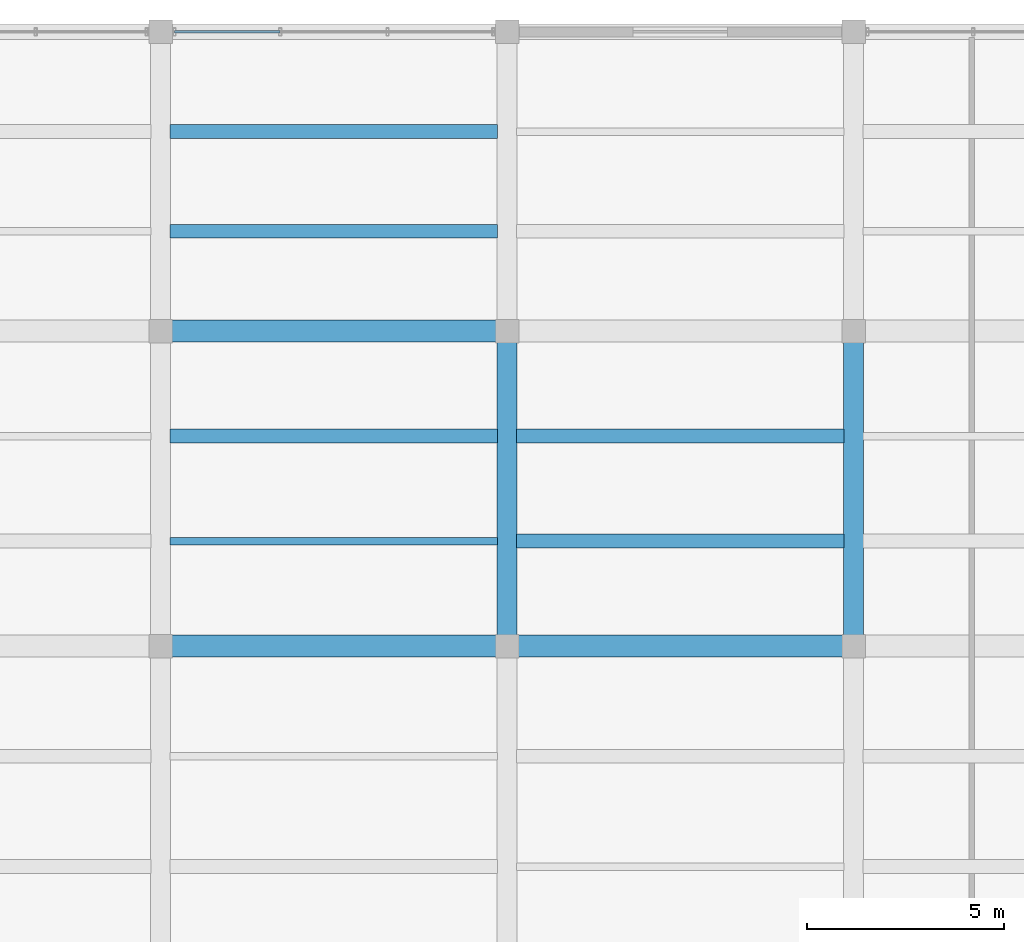
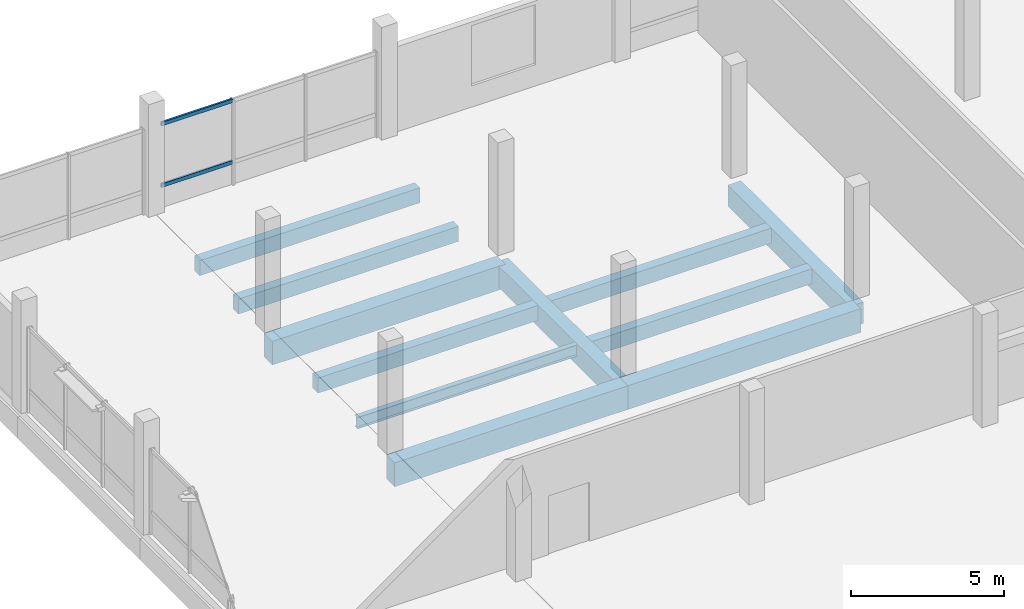
# One storey, part 46 of 77: 11 beams, 2 members, 1 element without a shape of its own.
"""IFC4 building model written with IfcOpenShell, lengths in metres."""

from ifc_helpers import new_model, si_unit, direction, frame, origin, origin_2d, place, context, subcontext, project, spatial, rectangle, hollow_rectangle, i_section, extrude, material, layer, layer_set, material_profile, profile_set, type_object, element, aggregate, save


model = new_model("IFC4")

# Units and contexts
model_context = context("Model", 3, precision=1e-05, world=origin(), true_north=direction((0.0, 1.0)))
body_context = subcontext(model_context, "Body", "Model", "MODEL_VIEW")
ifc_project = project(units=[si_unit("LENGTHUNIT", "METRE"), si_unit("AREAUNIT", "SQUARE_METRE"), si_unit("VOLUMEUNIT", "CUBIC_METRE"), si_unit("PLANEANGLEUNIT", "RADIAN"), si_unit("MASSUNIT", "GRAM", prefix="KILO")], contexts=[model_context])

# Site, building, storey
site_placement = place(None, origin())
site = spatial("IfcSite", under=ifc_project, at=site_placement, CompositionType="ELEMENT")
building_placement = place(site_placement, origin())
building = spatial("IfcBuilding", under=site, at=building_placement, Name="Meriwether Solvik Hall", CompositionType="ELEMENT")
storey_placement = place(building_placement, frame((0.0, 0.0, 9.89990234375)))
storey = spatial("IfcBuildingStorey", under=building, at=storey_placement, Name="L02", CompositionType="ELEMENT", Elevation=9.89990234375)

# Beams
ifc_material_1 = material(Name="Concrete C40/50", Category="concrete")
ifc_material_profile_1 = material_profile(ifc_material_1, rectangle(XDim=0.35009765625, YDim=0.60009765625, at=origin_2d()), Name="RCB-350X600")
ifc_profile_set_1 = profile_set([ifc_material_profile_1], Name="Concrete C40/50")
beam_type_1 = type_object("IfcBeamType", Name="BM-RC-350X600", PredefinedType="JOIST", material=ifc_profile_set_1)
for number, where, z_axis, x_axis, name in (
    (1, (114.445068359375, 106.533203125, -0.75), (1.0, 0.0, 0.0), (0.0, 1.0, 0.0), "Secondary Floor Joist 13/L_J2 (L02)"),
    (2, (114.445068359375, 111.7333984375, -0.75), (1.0, 0.0, 0.0), (0.0, 1.0, 0.0), "Secondary Floor Joist 13/M_J1 (L02)"),
    (3, (114.445068359375, 114.2666015625, -0.75), (1.0, 0.0, 0.0), (0.0, 1.0, 0.0), "Secondary Floor Joist 13/M_J2 (L02)"),
    (4, (123.2451171875, 103.86669921875, -0.75), (1.0, 0.0, 0.0), (0.0, 1.0, 0.0), "Secondary Floor Joist 14/L_J1 (L02)"),
    (5, (123.2451171875, 106.533203125, -0.75), (1.0, 0.0, 0.0), (0.0, 1.0, 0.0), "Secondary Floor Joist 14/L_J2 (L02)"),
):
    element("IfcBeam", number, at=place(storey_placement, frame(where, z_axis=z_axis, x_axis=x_axis)), inside=storey, type_object=beam_type_1, Name=name, PredefinedType="JOIST", context=body_context, shape_type="SweptSolid", body=[
        extrude(rectangle(XDim=0.35009765625, YDim=0.60009765625, at=origin_2d()), origin(), (0.0, 0.0, 1.0), 8.309814453125),
    ])
ifc_material_2 = material(Name="Concrete C40/50", Category="concrete")
ifc_material_profile_2 = material_profile(ifc_material_2, rectangle(XDim=0.5, YDim=0.85009765625, at=origin_2d()), Name="RCB-500X850")
ifc_profile_set_2 = profile_set([ifc_material_profile_2], Name="Concrete C40/50")
beam_type_2 = type_object("IfcBeamType", Name="BM-RC-500X850", PredefinedType="BEAM", material=ifc_profile_set_2)
for number, where, z_axis, x_axis, name in (
    (6, (123.0, 101.199951171875, -0.875), (0.0, 1.0, 0.0), (-1.0, 0.0, 0.0), "Podium Girder 14:L-M (L02)"),
    (7, (131.800048828125, 101.199951171875, -0.875), (0.0, 1.0, 0.0), (-1.0, 0.0, 0.0), "Podium Girder 15:L-M (L02)"),
):
    element("IfcBeam", number, at=place(storey_placement, frame(where, z_axis=z_axis, x_axis=x_axis)), inside=storey, type_object=beam_type_2, Name=name, PredefinedType="BEAM", context=body_context, shape_type="SweptSolid", body=[
        extrude(rectangle(XDim=0.5, YDim=0.85009765625, at=origin_2d()), origin(), (0.0, 0.0, 1.0), 8.0),
    ])
ifc_material_3 = material(Name="Concrete C40/50", Category="concrete")
ifc_material_profile_3 = material_profile(ifc_material_3, rectangle(XDim=0.550048828125, YDim=0.949951171875, at=origin_2d()), Name="RCB-550X950")
ifc_profile_set_3 = profile_set([ifc_material_profile_3], Name="Concrete C40/50")
beam_type_3 = type_object("IfcBeamType", Name="BM-RC-550X950", PredefinedType="BEAM", material=ifc_profile_set_3)
for number, where, z_axis, x_axis, name in (
    (8, (114.199951171875, 101.199951171875, -0.9248046875), (1.0, 0.0, 0.0), (0.0, 1.0, 0.0), "Podium Girder L:13-14 (L02)"),
    (9, (123.0, 101.199951171875, -0.9248046875), (1.0, 0.0, 0.0), (0.0, 1.0, 0.0), "Podium Girder L:14-15 (L02)"),
    (10, (114.199951171875, 109.199951171875, -0.9248046875), (1.0, 0.0, 0.0), (0.0, 1.0, 0.0), "Podium Girder M:13-14 (L02)"),
):
    element("IfcBeam", number, at=place(storey_placement, frame(where, z_axis=z_axis, x_axis=x_axis)), inside=storey, type_object=beam_type_3, Name=name, PredefinedType="BEAM", context=body_context, shape_type="SweptSolid", body=[
        extrude(rectangle(XDim=0.550048828125, YDim=0.949951171875, at=origin_2d()), origin(), (0.0, 0.0, 1.0), 8.800048828125),
    ])
ifc_material_4 = material(Name="Steel A992 Grade 50", Category="steel")
ifc_material_profile_4 = material_profile(ifc_material_4, i_section(OverallWidth=0.19091796875, OverallDepth=0.45703125, WebThickness=0.009033203125, FlangeThickness=0.014404296875, at=origin_2d()), Name="W18X50")
ifc_profile_set_4 = profile_set([ifc_material_profile_4], Name="Steel A992 Grade 50")
beam_type_4 = type_object("IfcBeamType", Name="BM-STL-W18X50", PredefinedType="JOIST", material=ifc_profile_set_4)
beam_placement = place(storey_placement, frame((114.445068359375, 103.86669921875, -0.678466796875), z_axis=(1.0, 0.0, 0.0), x_axis=(0.0, 1.0, 0.0)))
element("IfcBeam", 11, at=beam_placement, inside=storey, type_object=beam_type_4, Name="Secondary Floor Joist 13/L_J1 (L02)", PredefinedType="JOIST", context=body_context, shape_type="SweptSolid", body=[
    extrude(i_section(OverallWidth=0.19091796875, OverallDepth=0.45703125, WebThickness=0.009033203125, FlangeThickness=0.014404296875, at=origin_2d()), origin(), (0.0, 0.0, 1.0), 8.309814453125),
])

# Curtain wall, members
ifc_material_5 = material(Name="Thermally Broken Anodised Aluminium 6063-T6 and Low-E Glass", Category="aluminium")
ifc_layer = layer(ifc_material_5, 0.179931640625)
ifc_layer_set = layer_set([ifc_layer], Name="Thermally Broken Anodised Aluminium 6063-T6 and Low-E Glass")
curtain_wall_type = type_object("IfcCurtainWallType", Name="CW-SF-POD-C", PredefinedType="USERDEFINED", material=ifc_layer_set)
curtain_wall_placement = place(storey_placement, origin())
curtain_wall = element("IfcCurtainWall", 12, at=curtain_wall_placement, inside=storey, type_object=curtain_wall_type, Name="Curtain Wall wing_XN_13_18 (L02)", ObjectType="STICK STOREFRONT GLAZING", PredefinedType="USERDEFINED")
ifc_material_6 = material(Name="Anodised Aluminium 6063-T6", Category="aluminium")
ifc_material_profile_5 = material_profile(ifc_material_6, hollow_rectangle(XDim=0.070068359375, YDim=0.14990234375, WallThickness=0.0048828125, at=origin_2d()), Name="CWT-70X150")
ifc_profile_set_5 = profile_set([ifc_material_profile_5], Name="Anodised Aluminium 6063-T6")
member_type = type_object("IfcMemberType", Name="CW-TRN-70X150", PredefinedType="USERDEFINED", material=ifc_profile_set_5)
member_1_placement = place(storey_placement, frame((114.550048828125, 116.800048828125, 0.880126953125), z_axis=(1.0, 0.0, 0.0), x_axis=(0.0, 1.0, 0.0)))
member_1 = element("IfcMember", 13, at=member_1_placement, type_object=member_type, Name="Curtain Wall Transom 1-sill", ObjectType="TRANSOM", PredefinedType="USERDEFINED", context=body_context, shape_type="SweptSolid", body=[
    extrude(hollow_rectangle(XDim=0.070068359375, YDim=0.14990234375, WallThickness=0.0048828125, at=origin_2d()), origin(), (0.0, 0.0, 1.0), 2.687255859375),
])
member_2_placement = place(storey_placement, frame((114.550048828125, 116.800048828125, 3.335205078125), z_axis=(1.0, 0.0, 0.0), x_axis=(0.0, 1.0, 0.0)))
member_2 = element("IfcMember", 14, at=member_2_placement, type_object=member_type, Name="Curtain Wall Transom 1-head", ObjectType="TRANSOM", PredefinedType="USERDEFINED", context=body_context, shape_type="SweptSolid", body=[
    extrude(hollow_rectangle(XDim=0.070068359375, YDim=0.14990234375, WallThickness=0.0048828125, at=origin_2d()), origin(), (0.0, 0.0, 1.0), 2.687255859375),
])
aggregate(curtain_wall, [member_1, member_2])

save(model, "model.ifc")
